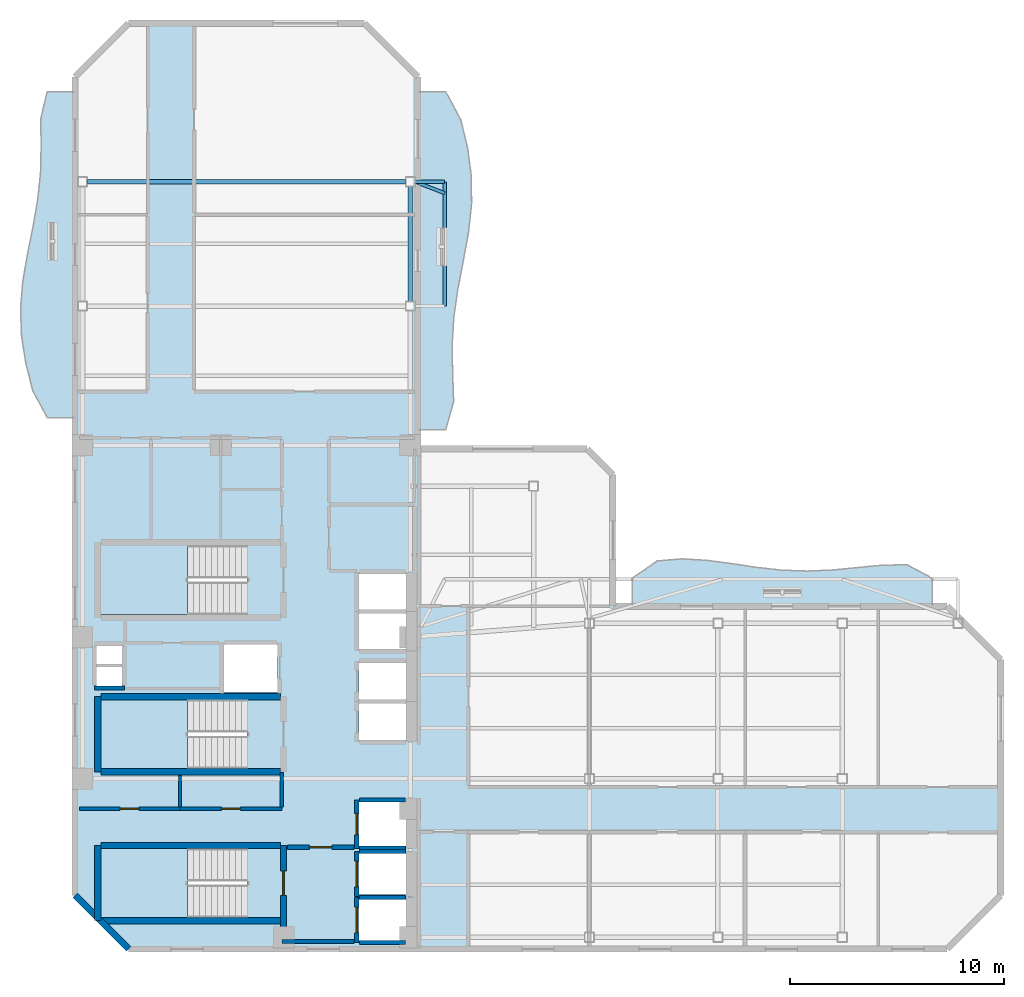
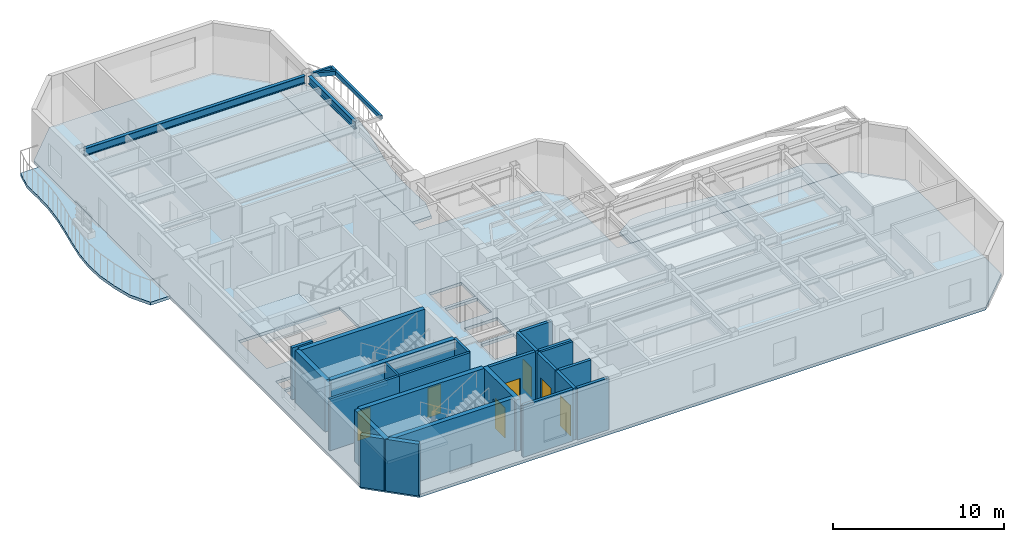
# One storey, part 2 of 9: 23 walls, 7 doors, 7 slabs, 5 beams, 7 openings, 3 elements without a shape of their own.
"""IFC4 building model written with IfcOpenShell, lengths in metres."""

import ifcopenshell
import ifcopenshell.guid

model = None  # the IFC model being written
_history = None  # IfcOwnerHistory: only IFC2X3 demands one
_inside = {}  # id of a spatial element -> (the spatial element, [elements in it])
_under = {}  # id of a project, library or spatial element -> (it, [spatial elements below it])
_declared = {}  # id of a project -> (the project, [libraries it declares])
_typed = {}  # id of a type object -> (the type object, [elements of that type])
_made_of = {}  # id of a material, layer set ... -> (it, [elements and type objects made of it])


def new_model(schema):
    """Start an empty IFC model of exactly this schema.

    Asked for "IFC4X3", IfcOpenShell would pick the latest addendum, in which some entities
    have other attributes; the version numbers below select the first issue.
    IFC2X3 requires an IfcOwnerHistory on every rooted entity: one is made here for all.
    """
    global model, _history
    if schema == "IFC4X3":
        model = ifcopenshell.file(schema_version=(4, 3, 0, 0))
    else:
        model = ifcopenshell.file(schema=schema)
    _inside.clear()
    _under.clear()
    _declared.clear()
    _typed.clear()
    _made_of.clear()
    _history = None
    if model.schema == "IFC2X3":
        org = make("IfcOrganization", Name="unknown")
        user = make(
            "IfcPersonAndOrganization",
            ThePerson=make("IfcPerson", FamilyName="unknown"),
            TheOrganization=org,
        )
        app = make(
            "IfcApplication",
            ApplicationDeveloper=org,
            Version="unknown",
            ApplicationFullName="unknown",
            ApplicationIdentifier="unknown",
        )
        _history = make(
            "IfcOwnerHistory",
            OwningUser=user,
            OwningApplication=app,
            ChangeAction="ADDED",
            CreationDate=0,
        )
    return model


def make(cls, **values):
    """One entity of the class cls with the attributes given. An attribute that is None is left unset."""
    return model.create_entity(
        cls, **{name: value for name, value in values.items() if value is not None}
    )


def rooted(cls, **values):
    """An entity with a GlobalId (a new one), such as an element, a storey or a relation."""
    return make(cls, GlobalId=ifcopenshell.guid.new(), OwnerHistory=_history, **values)


def si_unit(unit_type, name, prefix=None):
    """IfcSIUnit, for example si_unit("LENGTHUNIT", "METRE", prefix="MILLI")."""
    return make("IfcSIUnit", UnitType=unit_type, Prefix=prefix, Name=name)


def assignment(units):
    """IfcUnitAssignment: the units of a project."""
    return None if units is None else make("IfcUnitAssignment", Units=units)


def point(xyz):
    """IfcCartesianPoint."""
    return None if xyz is None else make("IfcCartesianPoint", Coordinates=xyz)


def direction(xyz):
    """IfcDirection."""
    return None if xyz is None else make("IfcDirection", DirectionRatios=xyz)


def frame(location, z_axis=None, x_axis=None):
    """IfcAxis2Placement3D, a coordinate frame: its origin and axes. An axis left out is left unset."""
    return make(
        "IfcAxis2Placement3D",
        Location=point(location),
        Axis=direction(z_axis),
        RefDirection=direction(x_axis),
    )


def frame_2d(location, x_axis=None):
    """IfcAxis2Placement2D, a coordinate frame in the plane: its origin and x axis."""
    return make(
        "IfcAxis2Placement2D", Location=point(location), RefDirection=direction(x_axis)
    )


def origin():
    """The frame at (0, 0, 0) with its axes left unset."""
    return frame((0.0, 0.0, 0.0))


def origin_2d():
    """The frame at (0, 0) in the plane with its x axis left unset."""
    return frame_2d((0.0, 0.0))


def place(relative_to, where):
    """IfcLocalPlacement: puts the frame where relative to a parent placement (None: the world)."""
    return make(
        "IfcLocalPlacement", PlacementRelTo=relative_to, RelativePlacement=where
    )


def context(
    kind, dimensions, precision=None, world=None, true_north=None, identifier=None
):
    """IfcGeometricRepresentationContext, for example the 3D "Model" context."""
    return make(
        "IfcGeometricRepresentationContext",
        ContextIdentifier=identifier,
        ContextType=kind,
        CoordinateSpaceDimension=dimensions,
        Precision=precision,
        WorldCoordinateSystem=world,
        TrueNorth=true_north,
    )


def subcontext(parent, identifier, kind, view, scale=None):
    """IfcGeometricRepresentationSubContext, for example "Body" below "Model"."""
    return make(
        "IfcGeometricRepresentationSubContext",
        ContextIdentifier=identifier,
        ContextType=kind,
        ParentContext=parent,
        TargetScale=scale,
        TargetView=view,
    )


def project(units=None, contexts=None):
    """IfcProject with its units and contexts."""
    return rooted(
        "IfcProject",
        Name="project",
        RepresentationContexts=contexts,
        UnitsInContext=assignment(units),
    )


def spatial(cls, under=None, at=None, **own):
    """A site, building, storey or space (cls), placed at a placement, below another one or the project."""
    s = rooted(cls, ObjectPlacement=at, **own)
    if under is not None:
        _under.setdefault(under.id(), (under, []))[1].append(s)
    return s


def polyline(points):
    """IfcPolyline through the points."""
    return make("IfcPolyline", Points=[point(p) for p in points])


def profile(cls, at=None, kind="AREA", **sizes):
    """A parametric profile (cls). Its sizes go by their IFC names, for example OverallWidth=200.0."""
    return make(cls, ProfileType=kind, Position=at, **sizes)


def rectangle(**sizes):
    """IfcRectangleProfileDef."""
    return profile("IfcRectangleProfileDef", **sizes)


def hollow_rectangle(**sizes):
    """IfcRectangleHollowProfileDef."""
    return profile("IfcRectangleHollowProfileDef", **sizes)


def i_section(**sizes):
    """IfcIShapeProfileDef."""
    return profile("IfcIShapeProfileDef", **sizes)


def outline(outer, holes=None, kind="AREA"):
    """IfcArbitraryClosedProfileDef: a profile drawn as a closed curve; with holes, ...WithVoids."""
    if holes is None:
        return make("IfcArbitraryClosedProfileDef", ProfileType=kind, OuterCurve=outer)
    return make(
        "IfcArbitraryProfileDefWithVoids",
        ProfileType=kind,
        OuterCurve=outer,
        InnerCurves=holes,
    )


def extrude(swept, where, along, depth):
    """IfcExtrudedAreaSolid: the profile swept, set in the frame where, extruded along a direction by depth."""
    return make(
        "IfcExtrudedAreaSolid",
        SweptArea=swept,
        Position=where,
        ExtrudedDirection=direction(along),
        Depth=depth,
    )


def shape(context_of_items, identifier, shape_type, items):
    """IfcShapeRepresentation: the items that make up one representation, for example the "Body"."""
    return make(
        "IfcShapeRepresentation",
        ContextOfItems=context_of_items,
        RepresentationIdentifier=identifier,
        RepresentationType=shape_type,
        Items=items,
    )


def material(Name=None, Category=None):
    """IfcMaterial."""
    return make("IfcMaterial", Name=Name, Category=Category)


def layer(
    of_material, thickness, ventilated=None, Name=None, Category=None, Priority=None
):
    """IfcMaterialLayer: one layer of a wall or slab, of a material (None: an air gap)."""
    return make(
        "IfcMaterialLayer",
        Material=of_material,
        LayerThickness=thickness,
        IsVentilated=ventilated,
        Name=Name,
        Category=Category,
        Priority=Priority,
    )


def layer_set(layers, Name=None):
    """IfcMaterialLayerSet."""
    return make("IfcMaterialLayerSet", MaterialLayers=layers, LayerSetName=Name)


def material_profile(
    of_material, cross_section, Name=None, Category=None, Priority=None
):
    """IfcMaterialProfile: a cross section and its material."""
    return make(
        "IfcMaterialProfile",
        Name=Name,
        Material=of_material,
        Profile=cross_section,
        Priority=Priority,
        Category=Category,
    )


def profile_set(profiles, Name=None, composite=None):
    """IfcMaterialProfileSet."""
    return make(
        "IfcMaterialProfileSet",
        Name=Name,
        MaterialProfiles=profiles,
        CompositeProfile=composite,
    )


def made_of(thing, what):
    """Note that an element or type object is made of a material, layer set ...; save() writes the relation."""
    if what is not None:
        _made_of.setdefault(what.id(), (what, []))[1].append(thing)
    return thing


def type_object(cls, material=None, **own):
    """A type object (cls), such as IfcWallType, which elements share."""
    return made_of(rooted(cls, **own), material)


def element(
    cls,
    number,
    at=None,
    inside=None,
    cuts=None,
    type_object=None,
    material=None,
    context=None,
    identifier="Body",
    shape_type=None,
    held_by="IfcProductDefinitionShape",
    body=None,
    shapes=None,
    **own,
):
    """One element of the class cls, such as IfcWall. Its Tag is "e" and its number.

    at: its placement. inside: the storey or other place that contains it. cuts: it is an
    opening in that element (IfcRelVoidsElement). A single representation is given by context,
    identifier, shape_type and body (its items); several are given by shapes. held_by: the class
    of the entity that holds the representations. save() writes the other relations.
    """
    e = rooted(cls, Tag="e%d" % number, ObjectPlacement=at, **own)
    if body is not None:
        shapes = [shape(context, identifier, shape_type, body)]
    if shapes is not None:
        e.Representation = make(held_by, Representations=shapes)
    if inside is not None:
        _inside.setdefault(inside.id(), (inside, []))[1].append(e)
    if cuts is not None:
        rooted(
            "IfcRelVoidsElement", RelatingBuildingElement=cuts, RelatedOpeningElement=e
        )
    if type_object is not None:
        _typed.setdefault(type_object.id(), (type_object, []))[1].append(e)
    return made_of(e, material)


def fill(opening, filler):
    """IfcRelFillsElement: the door or window that sits in an opening."""
    return rooted(
        "IfcRelFillsElement",
        RelatingOpeningElement=opening,
        RelatedBuildingElement=filler,
    )


def aggregate(whole, parts):
    """IfcRelAggregates: a whole, such as a stair, and the parts it consists of."""
    return rooted("IfcRelAggregates", RelatingObject=whole, RelatedObjects=parts)


def save(model, path):
    """Write the relations noted so far, then the file.

    IfcRelAggregates (storeys below a building ...), IfcRelContainedInSpatialStructure (elements
    in a storey), IfcRelDefinesByType, IfcRelAssociatesMaterial and IfcRelDeclares: one each for
    every whole, place, type object, material and project.
    """
    for whole, parts in _under.values():
        aggregate(whole, parts)
    for where, things in _inside.values():
        rooted(
            "IfcRelContainedInSpatialStructure",
            RelatedElements=things,
            RelatingStructure=where,
        )
    for kind, things in _typed.values():
        rooted("IfcRelDefinesByType", RelatedObjects=things, RelatingType=kind)
    for what, things in _made_of.values():
        rooted("IfcRelAssociatesMaterial", RelatedObjects=things, RelatingMaterial=what)
    for by, libraries in _declared.values():
        rooted("IfcRelDeclares", RelatingContext=by, RelatedDefinitions=libraries)
    model.write(path)


model = new_model("IFC4")

# Units and contexts
model_context = context("Model", 3, precision=1e-05, world=origin(), true_north=direction((0.0, 1.0)))
body_context = subcontext(model_context, "Body", "Model", "MODEL_VIEW")
ifc_project = project(units=[si_unit("LENGTHUNIT", "METRE"), si_unit("AREAUNIT", "SQUARE_METRE"), si_unit("VOLUMEUNIT", "CUBIC_METRE"), si_unit("PLANEANGLEUNIT", "RADIAN"), si_unit("MASSUNIT", "GRAM", prefix="KILO")], contexts=[model_context])

# Site, building, storey
site_placement = place(None, origin())
site = spatial("IfcSite", under=ifc_project, at=site_placement, CompositionType="ELEMENT")
building_placement = place(site_placement, origin())
building = spatial("IfcBuilding", under=site, at=building_placement, Name="Mawjaban Terraces University", CompositionType="ELEMENT")
storey_placement = place(building_placement, frame((0.0, 0.0, 203.10009765625)))
storey = spatial("IfcBuildingStorey", under=building, at=storey_placement, Name="L49", CompositionType="ELEMENT", Elevation=203.10009765625)

# Beams
ifc_material_1 = material(Name="Steel EN 10210-1 S355J2H", Category="steel")
ifc_material_profile_1 = material_profile(ifc_material_1, hollow_rectangle(XDim=0.14990234375, YDim=0.300048828125, WallThickness=0.012451171875, at=origin_2d()), Name="RHS300X150X12.5")
ifc_profile_set_1 = profile_set([ifc_material_profile_1], Name="Steel EN 10210-1 S355J2H")
beam_type_1 = type_object("IfcBeamType", Name="BalconyCantileverSpandrel_RHS", PredefinedType="SPANDREL", material=ifc_profile_set_1)
beam_1_placement = place(storey_placement, frame((37.875, 35.800048828125, 3.539794921875), z_axis=(1.0, 0.0, 0.0), x_axis=(0.0, 1.0, 0.0)))
element("IfcBeam", 1, at=beam_1_placement, inside=storey, type_object=beam_type_1, Name="L49 Exterior Outrigger BAL-L50-E.2", PredefinedType="SPANDREL", context=body_context, shape_type="SweptSolid", body=[
    extrude(hollow_rectangle(XDim=0.14990234375, YDim=0.300048828125, WallThickness=0.012451171875, at=origin_2d()), origin(), (0.0, 0.0, 1.0), 1.375),
])
beam_2_placement = place(storey_placement, frame((39.25, 30.0, 3.539794921875), z_axis=(0.0, 1.0, 0.0), x_axis=(-1.0, 0.0, 0.0)))
element("IfcBeam", 2, at=beam_2_placement, inside=storey, type_object=beam_type_1, Name="L49 Exterior Edge Spandrel BAL-L50-E", PredefinedType="SPANDREL", context=body_context, shape_type="SweptSolid", body=[
    extrude(hollow_rectangle(XDim=0.14990234375, YDim=0.300048828125, WallThickness=0.012451171875, at=origin_2d()), origin(), (0.0, 0.0, 1.0), 5.800048828125),
])
beam_3_placement = place(storey_placement, frame((37.875, 35.800048828125, 3.539794921875), z_axis=(0.933076337284, -0.35967839635, 0.0), x_axis=(0.35967839635, 0.933076337284, 0.0)))
element("IfcBeam", 3, at=beam_3_placement, inside=storey, type_object=beam_type_1, Name="L49 Exterior Diagonal Strut BAL-L50-E.2", PredefinedType="SPANDREL", context=body_context, shape_type="SweptSolid", body=[
    extrude(hollow_rectangle(XDim=0.14990234375, YDim=0.300048828125, WallThickness=0.012451171875, at=origin_2d()), origin(), (0.0, 0.0, 1.0), 1.4736328125),
])
ifc_material_2 = material(Name="Steel ASTM A572 Grade 50", Category="steel")
ifc_material_profile_2 = material_profile(ifc_material_2, i_section(OverallWidth=0.2119140625, OverallDepth=0.5439453125, WebThickness=0.01318359375, FlangeThickness=0.021240234375, at=origin_2d()), Name="W530X123")
ifc_profile_set_2 = profile_set([ifc_material_profile_2], Name="Steel ASTM A572 Grade 50")
beam_type_2 = type_object("IfcBeamType", Name="Beam_B_W530X123", PredefinedType="BEAM", material=ifc_profile_set_2)
beam_4_placement = place(storey_placement, frame((22.574951171875, 35.800048828125, 3.41796875), z_axis=(1.0, 0.0, 0.0), x_axis=(0.0, 1.0, 0.0)))
element("IfcBeam", 4, at=beam_4_placement, inside=storey, type_object=beam_type_2, Name="L49 Beam BM-L49-EW-13", PredefinedType="BEAM", context=body_context, shape_type="SweptSolid", body=[
    extrude(i_section(OverallWidth=0.2119140625, OverallDepth=0.5439453125, WebThickness=0.01318359375, FlangeThickness=0.021240234375, at=origin_2d()), origin(), (0.0, 0.0, 1.0), 14.85009765625),
])
beam_5_placement = place(storey_placement, frame((37.64990234375, 30.22509765625, 3.41796875), z_axis=(0.0, 1.0, 0.0), x_axis=(-1.0, 0.0, 0.0)))
element("IfcBeam", 5, at=beam_5_placement, inside=storey, type_object=beam_type_2, Name="L49 Beam BM-L49-NS-09", PredefinedType="BEAM", context=body_context, shape_type="SweptSolid", body=[
    extrude(i_section(OverallWidth=0.2119140625, OverallDepth=0.5439453125, WebThickness=0.01318359375, FlangeThickness=0.021240234375, at=origin_2d()), origin(), (0.0, 0.0, 1.0), 5.349853515625),
])

# Slabs
ifc_material_3 = material(Name="Concrete C40/50", Category="concrete")
ifc_layer_1 = layer(ifc_material_3, 0.2099609375)
ifc_layer_set_1 = layer_set([ifc_layer_1], Name="Concrete C40/50")
slab_type_1 = type_object("IfcSlabType", Name="BalconySlab_210_Ext", PredefinedType="FLOOR", material=ifc_layer_set_1)
slab_1_placement = place(storey_placement, frame((0.0, 0.0, -0.210205078125)))
element("IfcSlab", 6, at=slab_1_placement, inside=storey, type_object=slab_type_1, Name="L49 Planted Balcony Slab west", PredefinedType="FLOOR", context=body_context, shape_type="SweptSolid", body=[
    extrude(outline(polyline([(22.010009765625, 24.800048828125), (22.010009765625, 40.0), (20.699951171875, 40.0), (20.403076171875, 38.73291015625), (20.422119140625, 37.467041015625), (20.388916015625, 36.199951171875), (20.2548828125, 34.93310546875), (20.032958984375, 33.6669921875), (19.777099609375, 32.39990234375), (19.56201171875, 31.133056640625), (19.4580078125, 29.866943359375), (19.506103515625, 28.60009765625), (19.705078125, 27.3330078125), (20.02392578125, 26.06689453125), (20.699951171875, 24.800048828125), (22.010009765625, 24.800048828125)])), origin(), (0.0, 0.0, 1.0), 0.210205078125),
])
slab_2_placement = place(storey_placement, frame((0.0, 0.0, -0.210205078125)))
element("IfcSlab", 7, at=slab_2_placement, inside=storey, type_object=slab_type_1, Name="L49 Planted Balcony Slab inner_north", PredefinedType="FLOOR", context=body_context, shape_type="SweptSolid", body=[
    extrude(outline(polyline([(48.0, 15.989990234375), (62.0, 15.989990234375), (62.0, 17.300048828125), (60.8330078125, 17.927001953125), (59.6669921875, 17.909912109375), (58.5, 17.798095703125), (57.3330078125, 17.68505859375), (56.1669921875, 17.635009765625), (55.0, 17.676025390625), (53.8330078125, 17.803955078125), (52.6669921875, 17.97802734375), (51.5, 18.135009765625), (50.3330078125, 18.2041015625), (49.1669921875, 18.10888671875), (48.0, 17.300048828125), (48.0, 15.989990234375)])), origin(), (0.0, 0.0, 1.0), 0.210205078125),
])
slab_3_placement = place(storey_placement, frame((0.0, 0.0, -0.210205078125)))
element("IfcSlab", 8, at=slab_3_placement, inside=storey, type_object=slab_type_1, Name="L49 Planted Balcony Slab inner_east", PredefinedType="FLOOR", context=body_context, shape_type="SweptSolid", body=[
    extrude(outline(polyline([(39.300048828125, 24.235107421875), (39.669921875, 25.549072265625), (39.62109375, 26.863037109375), (39.59912109375, 28.176025390625), (39.677978515625, 29.489990234375), (39.866943359375, 30.803955078125), (40.1201171875, 32.116943359375), (40.360107421875, 33.430908203125), (40.50390625, 34.7451171875), (40.4951171875, 36.05908203125), (40.320068359375, 37.373046875), (40.006103515625, 38.68603515625), (39.300048828125, 40.0), (37.989990234375, 40.0), (37.989990234375, 24.235107421875), (39.300048828125, 24.235107421875)])), origin(), (0.0, 0.0, 1.0), 0.210205078125),
])
ifc_layer_2 = layer(ifc_material_3, 0.2099609375)
ifc_layer_set_2 = layer_set([ifc_layer_2], Name="Concrete C40/50")
slab_type_2 = type_object("IfcSlabType", Name="CompositeSlab_210", PredefinedType="FLOOR", material=ifc_layer_set_2)
slab_4_placement = place(storey_placement, frame((0.0, 0.0, -0.210205078125)))
element("IfcSlab", 9, at=slab_4_placement, inside=storey, type_object=slab_type_2, Name="L49 Primary Structural Slab", PredefinedType="FLOOR", context=body_context, shape_type="SweptSolid", body=[
    extrude(outline(polyline([(24.5, 0.0), (62.699951171875, 0.0), (65.199951171875, 2.5), (65.199951171875, 13.5), (62.699951171875, 16.0), (47.10009765625, 16.0), (47.10009765625, 22.135009765625), (45.89990234375, 23.3349609375), (38.0, 23.3349609375), (38.0, 40.699951171875), (35.5, 43.199951171875), (24.5, 43.199951171875), (22.0, 40.699951171875), (22.0, 2.5), (24.5, 0.0)]), holes=[polyline([(30.014892578125, 4.699951171875), (23.199951171875, 4.699951171875), (23.199951171875, 1.449951171875), (30.014892578125, 1.449951171875), (30.014892578125, 4.699951171875)]), polyline([(30.014892578125, 18.85009765625), (23.199951171875, 18.85009765625), (23.199951171875, 15.60009765625), (30.014892578125, 15.60009765625), (30.014892578125, 18.85009765625)]), polyline([(30.014892578125, 11.64990234375), (23.199951171875, 11.64990234375), (23.199951171875, 8.39990234375), (30.014892578125, 8.39990234375), (30.014892578125, 11.64990234375)]), polyline([(35.25, 0.39990234375), (37.449951171875, 0.39990234375), (37.449951171875, 2.300048828125), (35.25, 2.300048828125), (35.25, 0.39990234375)]), polyline([(35.25, 2.550048828125), (37.449951171875, 2.550048828125), (37.449951171875, 4.449951171875), (35.25, 4.449951171875), (35.25, 2.550048828125)]), polyline([(35.25, 4.800048828125), (37.449951171875, 4.800048828125), (37.449951171875, 6.85009765625), (35.25, 6.85009765625), (35.25, 4.800048828125)]), polyline([(35.25, 9.75), (37.449951171875, 9.75), (37.449951171875, 11.449951171875), (35.25, 11.449951171875), (35.25, 9.75)]), polyline([(35.25, 11.64990234375), (37.449951171875, 11.64990234375), (37.449951171875, 13.35009765625), (35.25, 13.35009765625), (35.25, 11.64990234375)]), polyline([(28.949951171875, 12.0), (31.449951171875, 12.0), (31.449951171875, 14.199951171875), (28.949951171875, 14.199951171875), (28.949951171875, 12.0)]), polyline([(35.25, 14.0), (37.449951171875, 14.0), (37.449951171875, 15.64990234375), (35.25, 15.64990234375), (35.25, 14.0)]), polyline([(35.25, 15.85009765625), (37.449951171875, 15.85009765625), (37.449951171875, 17.5), (35.25, 17.5), (35.25, 15.85009765625)]), polyline([(23.0, 12.25), (24.199951171875, 12.25), (24.199951171875, 13.14990234375), (23.0, 13.14990234375), (23.0, 12.25)]), polyline([(23.0, 13.300048828125), (24.199951171875, 13.300048828125), (24.199951171875, 14.179931640625), (23.0, 14.179931640625), (23.0, 13.300048828125)])]), origin(), (0.0, 0.0, 1.0), 0.210205078125),
])

# Stair, slab
stair_type = type_object("IfcStairType", Name="Stair_Core1550_H39", PredefinedType="HALF_TURN_STAIR", material=ifc_material_3)
stair_1_placement = place(storey_placement, origin())
stair_1 = element("IfcStair", 10, at=stair_1_placement, inside=storey, type_object=stair_type, Name="L49 Core Exit Stair 1", PredefinedType="HALF_TURN_STAIR")
ifc_layer_3 = layer(ifc_material_3, 0.199951171875)
ifc_layer_set_3 = layer_set([ifc_layer_3], Name="Concrete C40/50")
slab_type_3 = type_object("IfcSlabType", Name="StairLandingSlab_200", PredefinedType="LANDING", material=ifc_layer_set_3)
slab_5_placement = place(storey_placement, frame((0.0, 0.0, 1.75)))
slab_5 = element("IfcSlab", 11, at=slab_5_placement, type_object=slab_type_3, Name="ST-1 landing 1", PredefinedType="LANDING", context=body_context, shape_type="SweptSolid", body=[
    extrude(outline(polyline([(27.25, 4.699951171875), (23.199951171875, 4.699951171875), (23.199951171875, 1.449951171875), (27.25, 1.449951171875), (27.25, 4.699951171875)])), origin(), (0.0, 0.0, 1.0), 0.199951171875),
])
aggregate(stair_1, [slab_5])

stair_2_placement = place(storey_placement, origin())
stair_2 = element("IfcStair", 12, at=stair_2_placement, inside=storey, type_object=stair_type, Name="L49 Core Exit Stair 2", PredefinedType="HALF_TURN_STAIR")
slab_6_placement = place(storey_placement, frame((0.0, 0.0, 1.75)))
slab_6 = element("IfcSlab", 13, at=slab_6_placement, type_object=slab_type_3, Name="ST-2 landing 1", PredefinedType="LANDING", context=body_context, shape_type="SweptSolid", body=[
    extrude(outline(polyline([(27.25, 18.85009765625), (23.199951171875, 18.85009765625), (23.199951171875, 15.60009765625), (27.25, 15.60009765625), (27.25, 18.85009765625)])), origin(), (0.0, 0.0, 1.0), 0.199951171875),
])
aggregate(stair_2, [slab_6])

stair_3_placement = place(storey_placement, origin())
stair_3 = element("IfcStair", 14, at=stair_3_placement, inside=storey, type_object=stair_type, Name="L49 Core Exit Stair 3", PredefinedType="HALF_TURN_STAIR")
slab_7_placement = place(storey_placement, frame((0.0, 0.0, 1.75)))
slab_7 = element("IfcSlab", 15, at=slab_7_placement, type_object=slab_type_3, Name="ST-3 landing 1", PredefinedType="LANDING", context=body_context, shape_type="SweptSolid", body=[
    extrude(outline(polyline([(27.25, 11.64990234375), (23.199951171875, 11.64990234375), (23.199951171875, 8.39990234375), (27.25, 8.39990234375), (27.25, 11.64990234375)])), origin(), (0.0, 0.0, 1.0), 0.199951171875),
])
aggregate(stair_3, [slab_7])

# Wall, opening, door
ifc_material_4 = material(Name="Fire-rated gypsum board on steel stud", Category="steel")
ifc_layer_4 = layer(ifc_material_4, 0.159912109375)
ifc_layer_set_4 = layer_set([ifc_layer_4], Name="Fire-rated gypsum board on steel stud")
wall_type_1 = type_object("IfcWallType", Name="CorridorPartition_160", PredefinedType="PARTITIONING", material=ifc_layer_set_4)
wall_1_placement = place(storey_placement, frame((26.89990234375, 6.550048828125, 0.0), z_axis=(0.0, 0.0, 1.0), x_axis=(-1.0, 0.0, 0.0)))
wall_1 = element("IfcWall", 16, at=wall_1_placement, inside=storey, type_object=wall_type_1, Name="L49 Core Washroom Lobby Partition 6", PredefinedType="PARTITIONING", context=body_context, shape_type="SweptSolid", body=[
    extrude(rectangle(XDim=4.699951171875, YDim=0.159912109375, at=frame_2d((2.35009765625, 0.0))), origin(), (0.0, 0.0, 1.0), 3.68994140625),
])
opening_1_placement = place(wall_1_placement, frame((1.909912109375, 0.0, 0.0)))
opening_1 = element("IfcOpeningElement", 17, at=opening_1_placement, cuts=wall_1, Name="Opening ID-088", PredefinedType="OPENING", context=body_context, shape_type="SweptSolid", body=[
    extrude(rectangle(XDim=0.8798828125, YDim=2.10009765625, at=frame_2d((0.43994140625, 1.050048828125))), frame((0.0, 0.08984375, 0.0), z_axis=(0.0, -1.0, 0.0), x_axis=(1.0, 0.0, 0.0)), (0.0, 0.0, 1.0), 0.179931640625),
])
ifc_material_5 = material(Name="Powder-coated steel frame and solid acoustic timber leaf", Category="steel")
door_type_1 = type_object("IfcDoorType", Name="ToiletDoor_880x2100", OperationType="NOTDEFINED", PredefinedType="DOOR", material=ifc_material_5)
door_1_placement = place(opening_1_placement, origin())
door_1 = element("IfcDoor", 18, at=door_1_placement, inside=storey, type_object=door_type_1, Name="L49 Male Toilet Door", OperationType="SINGLE_SWING_RIGHT", OverallHeight=2.10009765625, OverallWidth=0.8798828125, PredefinedType="DOOR", context=body_context, shape_type="SweptSolid", body=[
    extrude(rectangle(XDim=0.8798828125, YDim=2.10009765625, at=frame_2d((0.43994140625, 1.050048828125))), frame((0.0, 0.02490234375, 0.0), z_axis=(0.0, -1.0, 0.0), x_axis=(1.0, 0.0, 0.0)), (0.0, 0.0, 1.0), 0.050048828125),
])
fill(opening_1, door_1)

wall_2_placement = place(storey_placement, frame((31.64990234375, 6.550048828125, 0.0), z_axis=(0.0, 0.0, 1.0), x_axis=(-1.0, 0.0, 0.0)))
wall_2 = element("IfcWall", 19, at=wall_2_placement, inside=storey, type_object=wall_type_1, Name="L49 Core Washroom Lobby Partition 9", PredefinedType="PARTITIONING", context=body_context, shape_type="SweptSolid", body=[
    extrude(rectangle(XDim=4.75, YDim=0.159912109375, at=frame_2d((2.375, 0.0))), origin(), (0.0, 0.0, 1.0), 3.68994140625),
])
opening_2_placement = place(wall_2_placement, frame((1.93505859375, 0.0, 0.0)))
opening_2 = element("IfcOpeningElement", 20, at=opening_2_placement, cuts=wall_2, Name="Opening ID-088", PredefinedType="OPENING", context=body_context, shape_type="SweptSolid", body=[
    extrude(rectangle(XDim=0.8798828125, YDim=2.10009765625, at=frame_2d((0.43994140625, 1.050048828125))), frame((0.0, 0.08984375, 0.0), z_axis=(0.0, -1.0, 0.0), x_axis=(1.0, 0.0, 0.0)), (0.0, 0.0, 1.0), 0.179931640625),
])
door_2_placement = place(opening_2_placement, origin())
door_2 = element("IfcDoor", 21, at=door_2_placement, inside=storey, type_object=door_type_1, Name="L49 Accessible Toilet Door", OperationType="SINGLE_SWING_LEFT", OverallHeight=2.10009765625, OverallWidth=0.8798828125, PredefinedType="DOOR", context=body_context, shape_type="SweptSolid", body=[
    extrude(rectangle(XDim=0.8798828125, YDim=2.10009765625, at=frame_2d((0.43994140625, 1.050048828125))), frame((0.0, 0.02490234375, 0.0), z_axis=(0.0, -1.0, 0.0), x_axis=(1.0, 0.0, 0.0)), (0.0, 0.0, 1.0), 0.050048828125),
])
fill(opening_2, door_2)

# Walls
wall_3_placement = place(storey_placement, frame((31.64990234375, 8.239990234375, 0.0), z_axis=(0.0, 0.0, 1.0), x_axis=(0.0, -1.0, 0.0)))
element("IfcWall", 22, at=wall_3_placement, inside=storey, type_object=wall_type_1, Name="L49 High-Rise Lift Lobby Partition 39", PredefinedType="PARTITIONING", context=body_context, shape_type="SweptSolid", body=[
    extrude(rectangle(XDim=1.614990234375, YDim=0.159912109375, at=frame_2d((0.8076171875, 0.0))), origin(), (0.0, 0.0, 1.0), 3.68994140625),
])
ifc_material_6 = material(Name="Insulated terracotta rainscreen on concrete backup C40/50", Category="masonry")
ifc_layer_5 = layer(ifc_material_6, 0.300048828125)
ifc_layer_set_5 = layer_set([ifc_layer_5], Name="Insulated terracotta rainscreen on concrete backup C40/50")
wall_type_2 = type_object("IfcWallType", Name="ExtTerracottaWall_300", PredefinedType="SOLIDWALL", material=ifc_layer_set_5)
wall_4_placement = place(storey_placement, frame((22.0, 2.5, 0.0), z_axis=(0.0, 0.0, 1.0), x_axis=(0.707106781187, -0.707106781187, 0.0)))
element("IfcWall", 23, at=wall_4_placement, inside=storey, type_object=wall_type_2, Name="L49 Exterior Terracotta Wall 14", PredefinedType="SOLIDWALL", context=body_context, shape_type="SweptSolid", body=[
    extrude(rectangle(XDim=3.53564453125, YDim=0.300048828125, at=frame_2d((1.767822265625, 0.0))), origin(), (0.0, 0.0, 1.0), 3.68994140625),
])

# Wall, opening, door
ifc_layer_6 = layer(ifc_material_3, 0.199951171875)
ifc_layer_set_6 = layer_set([ifc_layer_6], Name="Concrete C40/50")
wall_type_3 = type_object("IfcWallType", Name="FireLobbyWall_200", PredefinedType="SOLIDWALL", material=ifc_layer_set_6)
wall_5_placement = place(storey_placement, frame((35.14990234375, 2.39990234375, 0.0), z_axis=(0.0, 0.0, 1.0), x_axis=(0.0, -1.0, 0.0)))
wall_5 = element("IfcWall", 24, at=wall_5_placement, inside=storey, type_object=wall_type_3, Name="L49 Lift FL-1 Hoistway Wall West", PredefinedType="SOLIDWALL", context=body_context, shape_type="SweptSolid", body=[
    extrude(rectangle(XDim=2.099853515625, YDim=0.199951171875, at=frame_2d((1.0498046875, 0.0))), origin(), (0.0, 0.0, 1.0), 3.68994140625),
])
opening_3_placement = place(wall_5_placement, frame((0.449951171875, 0.0, 0.0)))
opening_3 = element("IfcOpeningElement", 25, at=opening_3_placement, cuts=wall_5, Name="Opening LD-FL-1", PredefinedType="OPENING", context=body_context, shape_type="SweptSolid", body=[
    extrude(rectangle(XDim=1.199951171875, YDim=2.14990234375, at=frame_2d((0.60009765625, 1.074951171875))), frame((0.0, 0.10986328125, 0.0), z_axis=(0.0, -1.0, 0.0), x_axis=(1.0, 0.0, 0.0)), (0.0, 0.0, 1.0), 0.219970703125),
])
ifc_material_7 = material(Name="Powder-coated steel frame and fire-rated steel-faced leaf", Category="steel")
door_type_2 = type_object("IfcDoorType", Name="LiftLandingFSAE_1200x2150", OperationType="NOTDEFINED", PredefinedType="DOOR", material=ifc_material_7)
door_3_placement = place(opening_3_placement, origin())
door_3 = element("IfcDoor", 26, at=door_3_placement, inside=storey, type_object=door_type_2, Name="L49 Lift FL-1 Sliding Landing Door", OperationType="DOUBLE_DOOR_SLIDING", OverallHeight=2.14990234375, OverallWidth=1.199951171875, PredefinedType="DOOR", context=body_context, shape_type="SweptSolid", body=[
    extrude(rectangle(XDim=1.199951171875, YDim=2.14990234375, at=frame_2d((0.60009765625, 1.074951171875))), frame((0.0, 0.02490234375, 0.0), z_axis=(0.0, -1.0, 0.0), x_axis=(1.0, 0.0, 0.0)), (0.0, 0.0, 1.0), 0.050048828125),
])
fill(opening_3, door_3)

# Walls
for number, where, z_axis, x_axis, name in (
    (27, (35.280029296875, 0.300048828125, 0.0), (0.0, 0.0, 1.0), (1.0, 0.0, 0.0), "L49 Lift FL-1 Hoistway Wall South"),
    (28, (37.419921875, 2.39990234375, 0.0), (0.0, 0.0, 1.0), (-1.0, 0.0, 0.0), "L49 Lift FL-1 Hoistway Wall North"),
):
    element("IfcWall", number, at=place(storey_placement, frame(where, z_axis=z_axis, x_axis=x_axis)), inside=storey, type_object=wall_type_3, Name=name, PredefinedType="SOLIDWALL", context=body_context, shape_type="SweptSolid", body=[
        extrude(rectangle(XDim=2.139892578125, YDim=0.199951171875, at=frame_2d((1.06982421875, 0.0))), origin(), (0.0, 0.0, 1.0), 3.68994140625),
    ])

# Wall, opening, door
wall_6_placement = place(storey_placement, frame((35.14990234375, 4.550048828125, 0.0), z_axis=(0.0, 0.0, 1.0), x_axis=(0.0, -1.0, 0.0)))
wall_6 = element("IfcWall", 29, at=wall_6_placement, inside=storey, type_object=wall_type_3, Name="L49 Lift FL-2 Hoistway Wall West", PredefinedType="SOLIDWALL", context=body_context, shape_type="SweptSolid", body=[
    extrude(rectangle(XDim=2.10009765625, YDim=0.199951171875, at=frame_2d((1.050048828125, 0.0))), origin(), (0.0, 0.0, 1.0), 3.68994140625),
])
opening_4_placement = place(wall_6_placement, frame((0.449951171875, 0.0, 0.0)))
opening_4 = element("IfcOpeningElement", 30, at=opening_4_placement, cuts=wall_6, Name="Opening LD-FL-2", PredefinedType="OPENING", context=body_context, shape_type="SweptSolid", body=[
    extrude(rectangle(XDim=1.199951171875, YDim=2.14990234375, at=frame_2d((0.60009765625, 1.074951171875))), frame((0.0, 0.10986328125, 0.0), z_axis=(0.0, -1.0, 0.0), x_axis=(1.0, 0.0, 0.0)), (0.0, 0.0, 1.0), 0.219970703125),
])
door_4_placement = place(opening_4_placement, origin())
door_4 = element("IfcDoor", 31, at=door_4_placement, inside=storey, type_object=door_type_2, Name="L49 Lift FL-2 Sliding Landing Door", OperationType="DOUBLE_DOOR_SLIDING", OverallHeight=2.14990234375, OverallWidth=1.199951171875, PredefinedType="DOOR", context=body_context, shape_type="SweptSolid", body=[
    extrude(rectangle(XDim=1.199951171875, YDim=2.14990234375, at=frame_2d((0.60009765625, 1.074951171875))), frame((0.0, 0.02490234375, 0.0), z_axis=(0.0, -1.0, 0.0), x_axis=(1.0, 0.0, 0.0)), (0.0, 0.0, 1.0), 0.050048828125),
])
fill(opening_4, door_4)

# Wall
wall_7_placement = place(storey_placement, frame((37.419921875, 4.550048828125, 0.0), z_axis=(0.0, 0.0, 1.0), x_axis=(-1.0, 0.0, 0.0)))
element("IfcWall", 32, at=wall_7_placement, inside=storey, type_object=wall_type_3, Name="L49 Lift FL-2 Hoistway Wall North", PredefinedType="SOLIDWALL", context=body_context, shape_type="SweptSolid", body=[
    extrude(rectangle(XDim=2.139892578125, YDim=0.199951171875, at=frame_2d((1.06982421875, 0.0))), origin(), (0.0, 0.0, 1.0), 3.68994140625),
])

# Wall, opening, door
wall_8_placement = place(storey_placement, frame((35.14990234375, 6.949951171875, 0.0), z_axis=(0.0, 0.0, 1.0), x_axis=(0.0, -1.0, 0.0)))
wall_8 = element("IfcWall", 33, at=wall_8_placement, inside=storey, type_object=wall_type_3, Name="L49 Lift SL-1 Hoistway Wall West", PredefinedType="SOLIDWALL", context=body_context, shape_type="SweptSolid", body=[
    extrude(rectangle(XDim=2.25, YDim=0.199951171875, at=frame_2d((1.125, 0.0))), origin(), (0.0, 0.0, 1.0), 3.68994140625),
])
opening_5_placement = place(wall_8_placement, frame((0.625, 0.0, 0.0)))
opening_5 = element("IfcOpeningElement", 34, at=opening_5_placement, cuts=wall_8, Name="Opening LD-SL-1", PredefinedType="OPENING", context=body_context, shape_type="SweptSolid", body=[
    extrude(rectangle(XDim=1.0, YDim=2.10009765625, at=frame_2d((0.5, 1.050048828125))), frame((0.0, 0.10986328125, 0.0), z_axis=(0.0, -1.0, 0.0), x_axis=(1.0, 0.0, 0.0)), (0.0, 0.0, 1.0), 0.219970703125),
])
door_type_3 = type_object("IfcDoorType", Name="LiftLandingSliding_1000x2100", OperationType="NOTDEFINED", PredefinedType="DOOR", material=ifc_material_7)
door_5_placement = place(opening_5_placement, origin())
door_5 = element("IfcDoor", 35, at=door_5_placement, inside=storey, type_object=door_type_3, Name="L49 Lift SL-1 Sliding Landing Door", OperationType="DOUBLE_DOOR_SLIDING", OverallHeight=2.10009765625, OverallWidth=1.0, PredefinedType="DOOR", context=body_context, shape_type="SweptSolid", body=[
    extrude(rectangle(XDim=1.0, YDim=2.10009765625, at=frame_2d((0.5, 1.050048828125))), frame((0.0, 0.02490234375, 0.0), z_axis=(0.0, -1.0, 0.0), x_axis=(1.0, 0.0, 0.0)), (0.0, 0.0, 1.0), 0.050048828125),
])
fill(opening_5, door_5)

# Walls
for number, where, z_axis, x_axis, name in (
    (36, (35.280029296875, 4.699951171875, 0.0), (0.0, 0.0, 1.0), (1.0, 0.0, 0.0), "L49 Lift SL-1 Hoistway Wall South"),
    (37, (37.419921875, 6.949951171875, 0.0), (0.0, 0.0, 1.0), (-1.0, 0.0, 0.0), "L49 Lift SL-1 Hoistway Wall North"),
):
    element("IfcWall", number, at=place(storey_placement, frame(where, z_axis=z_axis, x_axis=x_axis)), inside=storey, type_object=wall_type_3, Name=name, PredefinedType="SOLIDWALL", context=body_context, shape_type="SweptSolid", body=[
        extrude(rectangle(XDim=2.139892578125, YDim=0.199951171875, at=frame_2d((1.06982421875, 0.0))), origin(), (0.0, 0.0, 1.0), 3.68994140625),
    ])
wall_9_placement = place(storey_placement, frame((22.89990234375, 12.179931640625, 0.0), z_axis=(0.0, 0.0, 1.0), x_axis=(1.0, 0.0, 0.0)))
element("IfcWall", 38, at=wall_9_placement, inside=storey, type_object=wall_type_3, Name="L49 MEP Riser Shaft Wall S", PredefinedType="SOLIDWALL", context=body_context, shape_type="SweptSolid", body=[
    extrude(rectangle(XDim=1.400146484375, YDim=0.199951171875, at=frame_2d((0.7001953125, 0.0))), origin(), (0.0, 0.0, 1.0), 3.68994140625),
])
wall_10_placement = place(storey_placement, frame((31.64990234375, 0.35009765625, 0.0), z_axis=(0.0, 0.0, 1.0), x_axis=(1.0, 0.0, 0.0)))
element("IfcWall", 39, at=wall_10_placement, inside=storey, type_object=wall_type_3, Name="L49 Firefighting Lift Lobby Partition 8", PredefinedType="SOLIDWALL", context=body_context, shape_type="SweptSolid", body=[
    extrude(rectangle(XDim=3.3701171875, YDim=0.199951171875, at=frame_2d((1.68505859375, 0.0))), origin(), (0.0, 0.0, 1.0), 3.68994140625),
])

# Wall, opening, door
wall_11_placement = place(storey_placement, frame((35.02001953125, 4.75, 0.0), z_axis=(0.0, 0.0, 1.0), x_axis=(-1.0, 0.0, 0.0)))
wall_11 = element("IfcWall", 40, at=wall_11_placement, inside=storey, type_object=wall_type_3, Name="L49 Firefighting Lift Lobby Partition 13", PredefinedType="SOLIDWALL", context=body_context, shape_type="SweptSolid", body=[
    extrude(rectangle(XDim=3.110107421875, YDim=0.199951171875, at=frame_2d((1.55517578125, 0.0))), origin(), (0.0, 0.0, 1.0), 3.68994140625),
])
opening_6_placement = place(wall_11_placement, frame((1.030029296875, 0.0, 0.0)))
opening_6 = element("IfcOpeningElement", 41, at=opening_6_placement, cuts=wall_11, Name="Opening FD-105", PredefinedType="OPENING", context=body_context, shape_type="SweptSolid", body=[
    extrude(rectangle(XDim=1.050048828125, YDim=2.14990234375, at=frame_2d((0.52490234375, 1.074951171875))), frame((0.0, 0.10986328125, 0.0), z_axis=(0.0, -1.0, 0.0), x_axis=(1.0, 0.0, 0.0)), (0.0, 0.0, 1.0), 0.219970703125),
])
door_type_4 = type_object("IfcDoorType", Name="FireLobbyDoor_1050x2150", OperationType="NOTDEFINED", PredefinedType="DOOR", material=ifc_material_7)
door_6_placement = place(opening_6_placement, origin())
door_6 = element("IfcDoor", 42, at=door_6_placement, inside=storey, type_object=door_type_4, Name="L49 Firefighting Lift Lobby Door", OperationType="SINGLE_SWING_LEFT", OverallHeight=2.14990234375, OverallWidth=1.050048828125, PredefinedType="DOOR", context=body_context, shape_type="SweptSolid", body=[
    extrude(rectangle(XDim=1.050048828125, YDim=2.14990234375, at=frame_2d((0.52490234375, 1.074951171875))), frame((0.0, 0.02490234375, 0.0), z_axis=(0.0, -1.0, 0.0), x_axis=(1.0, 0.0, 0.0)), (0.0, 0.0, 1.0), 0.050048828125),
])
fill(opening_6, door_6)

# Walls
ifc_material_8 = material(Name="Concrete C60/75", Category="concrete")
ifc_layer_7 = layer(ifc_material_8, 0.300048828125)
ifc_layer_set_7 = layer_set([ifc_layer_7], Name="Concrete C60/75")
wall_type_4 = type_object("IfcWallType", Name="StairShaftWall_300", PredefinedType="SHEAR", material=ifc_layer_set_7)
wall_12_placement = place(storey_placement, frame((31.580078125, 4.830078125, 0.0), z_axis=(0.0, 0.0, 1.0), x_axis=(-1.0, 0.0, 0.0)))
element("IfcWall", 43, at=wall_12_placement, inside=storey, type_object=wall_type_4, Name="L49 ST-1 Stair Shaft Wall 1", PredefinedType="SHEAR", context=body_context, shape_type="SweptSolid", body=[
    extrude(rectangle(XDim=8.360107421875, YDim=0.300048828125, at=frame_2d((4.18017578125, 0.0))), origin(), (0.0, 0.0, 1.0), 3.68994140625),
])
wall_13_placement = place(storey_placement, frame((23.070068359375, 4.830078125, 0.0), z_axis=(0.0, 0.0, 1.0), x_axis=(0.0, -1.0, 0.0)))
element("IfcWall", 44, at=wall_13_placement, inside=storey, type_object=wall_type_4, Name="L49 ST-1 Stair Shaft Wall 2", PredefinedType="SHEAR", context=body_context, shape_type="SweptSolid", body=[
    extrude(rectangle(XDim=3.510009765625, YDim=0.300048828125, at=frame_2d((1.7548828125, 0.0))), origin(), (0.0, 0.0, 1.0), 3.68994140625),
])
wall_14_placement = place(storey_placement, frame((23.219970703125, 1.320068359375, 0.0), z_axis=(0.0, 0.0, 1.0), x_axis=(1.0, 0.0, 0.0)))
element("IfcWall", 45, at=wall_14_placement, inside=storey, type_object=wall_type_4, Name="L49 ST-1 Stair Shaft Wall 3", PredefinedType="SHEAR", context=body_context, shape_type="SweptSolid", body=[
    extrude(rectangle(XDim=8.360107421875, YDim=0.300048828125, at=frame_2d((4.18017578125, 0.0))), origin(), (0.0, 0.0, 1.0), 3.68994140625),
])

# Wall, opening, door
wall_15_placement = place(storey_placement, frame((31.72998046875, 0.9599609375, 0.0), z_axis=(0.0, 0.0, 1.0), x_axis=(0.0, 1.0, 0.0)))
wall_15 = element("IfcWall", 46, at=wall_15_placement, inside=storey, type_object=wall_type_4, Name="L49 ST-1 Stair Shaft Wall 4", PredefinedType="SHEAR", context=body_context, shape_type="SweptSolid", body=[
    extrude(rectangle(XDim=3.8701171875, YDim=0.300048828125, at=frame_2d((1.93505859375, 0.0))), origin(), (0.0, 0.0, 1.0), 3.68994140625),
])
opening_7_placement = place(wall_15_placement, frame((1.5400390625, 0.0, 0.0)))
opening_7 = element("IfcOpeningElement", 47, at=opening_7_placement, cuts=wall_15, Name="Opening FD-115", PredefinedType="OPENING", context=body_context, shape_type="SweptSolid", body=[
    extrude(rectangle(XDim=1.14990234375, YDim=2.14990234375, at=frame_2d((0.574951171875, 1.074951171875))), frame((0.0, 0.159912109375, 0.0), z_axis=(0.0, -1.0, 0.0), x_axis=(1.0, 0.0, 0.0)), (0.0, 0.0, 1.0), 0.320068359375),
])
door_type_5 = type_object("IfcDoorType", Name="FireStairDoor_1150x2150", OperationType="NOTDEFINED", PredefinedType="DOOR", material=ifc_material_7)
door_7_placement = place(opening_7_placement, origin())
door_7 = element("IfcDoor", 48, at=door_7_placement, inside=storey, type_object=door_type_5, Name="L49 ST-1 Pressurised Stair Fire Door", OperationType="SINGLE_SWING_RIGHT", OverallHeight=2.14990234375, OverallWidth=1.14990234375, PredefinedType="DOOR", context=body_context, shape_type="SweptSolid", body=[
    extrude(rectangle(XDim=1.14990234375, YDim=2.14990234375, at=frame_2d((0.574951171875, 1.074951171875))), frame((0.0, 0.02490234375, 0.0), z_axis=(0.0, -1.0, 0.0), x_axis=(1.0, 0.0, 0.0)), (0.0, 0.0, 1.0), 0.050048828125),
])
fill(opening_7, door_7)

# Walls
wall_16_placement = place(storey_placement, frame((31.580078125, 11.780029296875, 0.0), z_axis=(0.0, 0.0, 1.0), x_axis=(-1.0, 0.0, 0.0)))
element("IfcWall", 49, at=wall_16_placement, inside=storey, type_object=wall_type_4, Name="L49 ST-3 Stair Shaft Wall 1", PredefinedType="SHEAR", context=body_context, shape_type="SweptSolid", body=[
    extrude(rectangle(XDim=8.360107421875, YDim=0.300048828125, at=frame_2d((4.18017578125, 0.0))), origin(), (0.0, 0.0, 1.0), 3.68994140625),
])
wall_17_placement = place(storey_placement, frame((23.070068359375, 11.780029296875, 0.0), z_axis=(0.0, 0.0, 1.0), x_axis=(0.0, -1.0, 0.0)))
element("IfcWall", 50, at=wall_17_placement, inside=storey, type_object=wall_type_4, Name="L49 ST-3 Stair Shaft Wall 2", PredefinedType="SHEAR", context=body_context, shape_type="SweptSolid", body=[
    extrude(rectangle(XDim=3.510009765625, YDim=0.300048828125, at=frame_2d((1.7548828125, 0.0))), origin(), (0.0, 0.0, 1.0), 3.68994140625),
])
wall_18_placement = place(storey_placement, frame((23.219970703125, 8.27001953125, 0.0), z_axis=(0.0, 0.0, 1.0), x_axis=(1.0, 0.0, 0.0)))
element("IfcWall", 51, at=wall_18_placement, inside=storey, type_object=wall_type_4, Name="L49 ST-3 Stair Shaft Wall 3", PredefinedType="SHEAR", context=body_context, shape_type="SweptSolid", body=[
    extrude(rectangle(XDim=8.360107421875, YDim=0.300048828125, at=frame_2d((4.18017578125, 0.0))), origin(), (0.0, 0.0, 1.0), 3.68994140625),
])
ifc_material_9 = material(Name="Cement-board wet-room partition", Category="masonry")
ifc_layer_8 = layer(ifc_material_9, 0.135009765625)
ifc_layer_set_8 = layer_set([ifc_layer_8], Name="Cement-board wet-room partition")
wall_type_5 = type_object("IfcWallType", Name="WetRoomPartition_135", PredefinedType="PARTITIONING", material=ifc_layer_set_8)
wall_19_placement = place(storey_placement, frame((26.89990234375, 6.625, 0.0), z_axis=(0.0, 0.0, 1.0), x_axis=(0.0, 1.0, 0.0)))
element("IfcWall", 52, at=wall_19_placement, inside=storey, type_object=wall_type_5, Name="L49 Male Toilet Partition 34", PredefinedType="PARTITIONING", context=body_context, shape_type="SweptSolid", body=[
    extrude(rectangle(XDim=1.465087890625, YDim=0.135009765625, at=frame_2d((0.732421875, 0.0))), origin(), (0.0, 0.0, 1.0), 3.68994140625),
])

save(model, "model.ifc")
